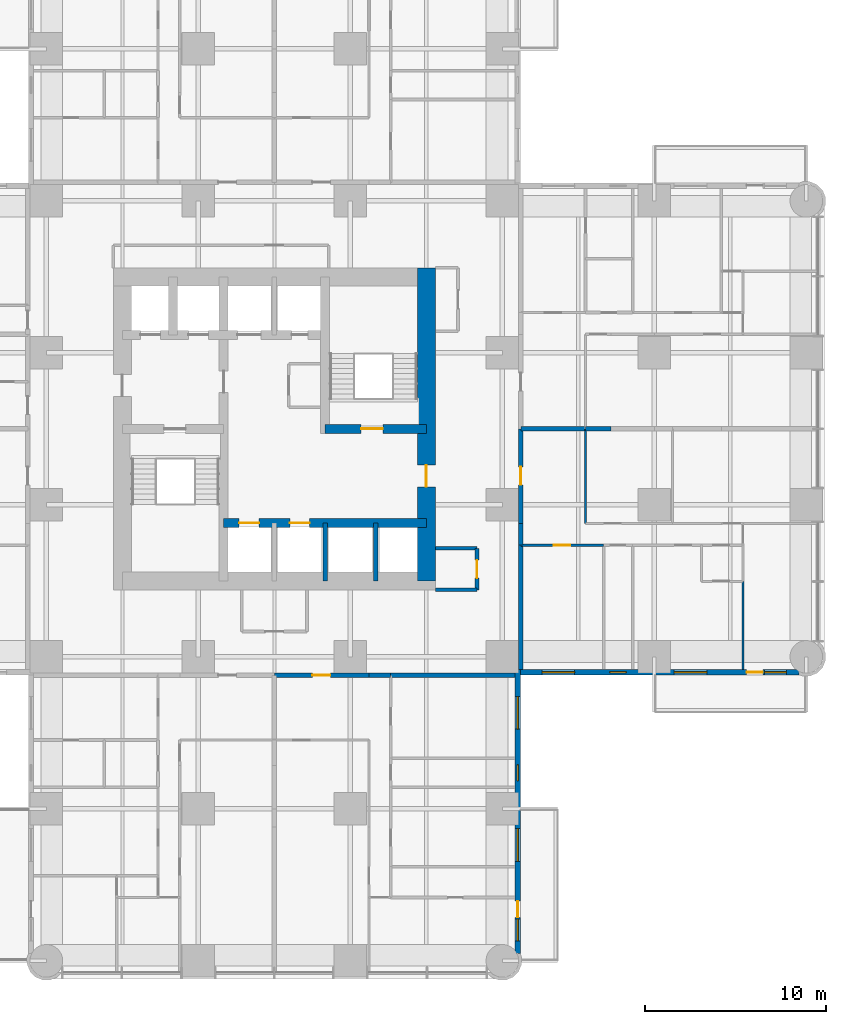
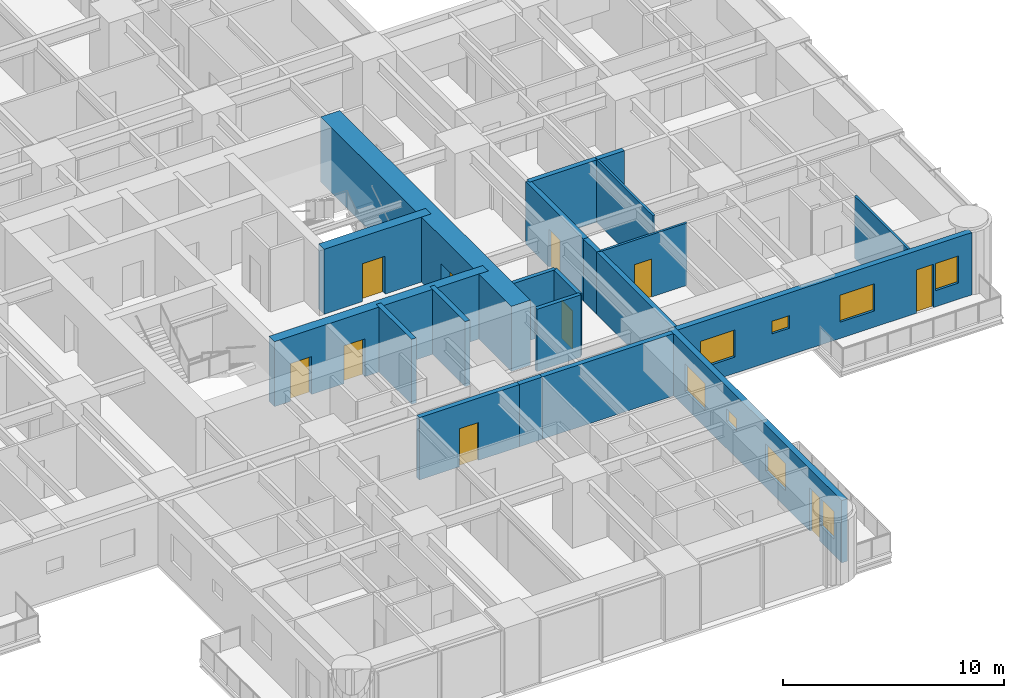
# One storey, part 10 of 17: 21 walls, 10 doors, 8 windows, 18 openings.
"""IFC4 building model written with IfcOpenShell, lengths in metres."""

from ifc_helpers import new_model, si_unit, direction, frame, frame_2d, origin, place, context, subcontext, project, spatial, rectangle, extrude, material, layer, layer_set, type_object, element, fill, save


model = new_model("IFC4")

# Units and contexts
model_context = context("Model", 3, precision=1e-05, world=origin(), true_north=direction((0.0, 1.0)))
body_context = subcontext(model_context, "Body", "Model", "MODEL_VIEW")
ifc_project = project(units=[si_unit("LENGTHUNIT", "METRE"), si_unit("AREAUNIT", "SQUARE_METRE"), si_unit("VOLUMEUNIT", "CUBIC_METRE"), si_unit("PLANEANGLEUNIT", "RADIAN"), si_unit("MASSUNIT", "GRAM", prefix="KILO")], contexts=[model_context])

# Site, building, storey
site_placement = place(None, origin())
site = spatial("IfcSite", under=ifc_project, at=site_placement, CompositionType="ELEMENT")
building_placement = place(site_placement, origin())
building = spatial("IfcBuilding", under=site, at=building_placement, Name="Torre Alcanfor", CompositionType="ELEMENT")
storey_placement = place(building_placement, frame((0.0, 0.0, 45.300048828125)))
storey = spatial("IfcBuildingStorey", under=building, at=storey_placement, Name="L10", CompositionType="ELEMENT", Elevation=45.300048828125)

# Wall, opening, door
ifc_material_1 = material(Name="Concrete block masonry, hollow blocks NMX-C-404 9 MPa", Category="masonry")
ifc_layer_1 = layer(ifc_material_1, 0.25)
ifc_layer_set_1 = layer_set([ifc_layer_1], Name="Apartment entrance wall 250 EI 60")
wall_type_1 = type_object("IfcWallType", Name="Apartment entrance wall 250 EI 60", PredefinedType="PARTITIONING", material=ifc_layer_set_1)
wall_1_placement = place(storey_placement, frame((43.02490234375, 29.39990234375, 0.0), z_axis=(0.0, 0.0, 1.0), x_axis=(0.0, -1.0, 0.0)))
wall_1 = element("IfcWall", 1, at=wall_1_placement, inside=storey, type_object=wall_type_1, Name="Partition L10-CORR / L10-E2-ZAG", PredefinedType="PARTITIONING", context=body_context, shape_type="SweptSolid", body=[
    extrude(rectangle(XDim=5.22900390625, YDim=0.25, at=frame_2d((2.614501953125, 0.0))), origin(), (0.0, 0.0, 1.0), 3.449951171875),
])
opening_1_placement = place(wall_1_placement, frame((2.10009765625, 0.0, 0.0)))
opening_1 = element("IfcOpeningElement", 2, at=opening_1_placement, cuts=wall_1, Name="Opening D-A1", PredefinedType="OPENING", context=body_context, shape_type="SweptSolid", body=[
    extrude(rectangle(XDim=1.0, YDim=2.10009765625, at=frame_2d((0.5, 1.050048828125))), frame((0.0, 0.135009765625, 0.0), z_axis=(0.0, -1.0, 0.0), x_axis=(1.0, 0.0, 0.0)), (0.0, 0.0, 1.0), 0.27001953125),
])
ifc_material_2 = material(Name="Galvanised steel sheet ASTM A653", Category="steel")
door_type_1 = type_object("IfcDoorType", Name="Apartment entrance door FD60 1000x2100", OperationType="SINGLE_SWING_LEFT", PredefinedType="DOOR", material=ifc_material_2)
door_1_placement = place(opening_1_placement, origin())
door_1 = element("IfcDoor", 3, at=door_1_placement, inside=storey, type_object=door_type_1, Name="Apartment entrance L10-E2", OperationType="SINGLE_SWING_LEFT", OverallHeight=2.10009765625, OverallWidth=1.0, PredefinedType="DOOR", context=body_context, shape_type="SweptSolid", body=[
    extrude(rectangle(XDim=1.0, YDim=2.10009765625, at=frame_2d((0.5, 1.050048828125))), frame((0.0, 0.02490234375, 0.0), z_axis=(0.0, -1.0, 0.0), x_axis=(1.0, 0.0, 0.0)), (0.0, 0.0, 1.0), 0.050048828125),
])
fill(opening_1, door_1)

# Walls
wall_2_placement = place(storey_placement, frame((43.02490234375, 24.1708984375, 0.0), z_axis=(0.0, 0.0, 1.0), x_axis=(0.0, -1.0, 0.0)))
element("IfcWall", 4, at=wall_2_placement, inside=storey, type_object=wall_type_1, Name="Partition L10-CORR / L10-E2-HALL", PredefinedType="PARTITIONING", context=body_context, shape_type="SweptSolid", body=[
    extrude(rectangle(XDim=1.199951171875, YDim=0.25, at=frame_2d((0.60009765625, 0.0))), origin(), (0.0, 0.0, 1.0), 3.449951171875),
])
wall_3_placement = place(storey_placement, frame((43.02490234375, 22.970947265625, 0.0), z_axis=(0.0, 0.0, 1.0), x_axis=(0.0, -1.0, 0.0)))
element("IfcWall", 5, at=wall_3_placement, inside=storey, type_object=wall_type_1, Name="Partition L10-CORR / L10-E2-BED2", PredefinedType="PARTITIONING", context=body_context, shape_type="SweptSolid", body=[
    extrude(rectangle(XDim=6.870849609375, YDim=0.25, at=frame_2d((3.435546875, 0.0))), origin(), (0.0, 0.0, 1.0), 3.449951171875),
])

# Wall, opening, door
wall_4_placement = place(storey_placement, frame((34.62890625, 15.77490234375, 0.0), z_axis=(0.0, 0.0, 1.0), x_axis=(-1.0, 0.0, 0.0)))
wall_4 = element("IfcWall", 6, at=wall_4_placement, inside=storey, type_object=wall_type_1, Name="Partition L10-CORR / L10-S1-ZAG", PredefinedType="PARTITIONING", context=body_context, shape_type="SweptSolid", body=[
    extrude(rectangle(XDim=5.22900390625, YDim=0.25, at=frame_2d((2.614501953125, 0.0))), origin(), (0.0, 0.0, 1.0), 3.449951171875),
])
opening_2_placement = place(wall_4_placement, frame((2.12890625, 0.0, 0.0)))
opening_2 = element("IfcOpeningElement", 7, at=opening_2_placement, cuts=wall_4, Name="Opening D-A1", PredefinedType="OPENING", context=body_context, shape_type="SweptSolid", body=[
    extrude(rectangle(XDim=1.0, YDim=2.10009765625, at=frame_2d((0.5, 1.050048828125))), frame((0.0, 0.135009765625, 0.0), z_axis=(0.0, -1.0, 0.0), x_axis=(1.0, 0.0, 0.0)), (0.0, 0.0, 1.0), 0.27001953125),
])
door_2_placement = place(opening_2_placement, origin())
door_2 = element("IfcDoor", 8, at=door_2_placement, inside=storey, type_object=door_type_1, Name="Apartment entrance L10-S1", OperationType="SINGLE_SWING_RIGHT", OverallHeight=2.10009765625, OverallWidth=1.0, PredefinedType="DOOR", context=body_context, shape_type="SweptSolid", body=[
    extrude(rectangle(XDim=1.0, YDim=2.10009765625, at=frame_2d((0.5, 1.050048828125))), frame((0.0, 0.02490234375, 0.0), z_axis=(0.0, -1.0, 0.0), x_axis=(1.0, 0.0, 0.0)), (0.0, 0.0, 1.0), 0.050048828125),
])
fill(opening_2, door_2)

# Walls
wall_5_placement = place(storey_placement, frame((35.8291015625, 15.77490234375, 0.0), z_axis=(0.0, 0.0, 1.0), x_axis=(-1.0, 0.0, 0.0)))
element("IfcWall", 9, at=wall_5_placement, inside=storey, type_object=wall_type_1, Name="Partition L10-CORR / L10-S1-HALL", PredefinedType="PARTITIONING", context=body_context, shape_type="SweptSolid", body=[
    extrude(rectangle(XDim=1.2001953125, YDim=0.25, at=frame_2d((0.60009765625, 0.0))), origin(), (0.0, 0.0, 1.0), 3.449951171875),
])
wall_6_placement = place(storey_placement, frame((42.699951171875, 15.77490234375, 0.0), z_axis=(0.0, 0.0, 1.0), x_axis=(-1.0, 0.0, 0.0)))
element("IfcWall", 10, at=wall_6_placement, inside=storey, type_object=wall_type_1, Name="Partition L10-CORR / L10-S1-BED3", PredefinedType="PARTITIONING", context=body_context, shape_type="SweptSolid", body=[
    extrude(rectangle(XDim=6.870849609375, YDim=0.25, at=frame_2d((3.435546875, 0.0))), origin(), (0.0, 0.0, 1.0), 3.449951171875),
])
ifc_material_3 = material(Name="Gypsum board on steel studs", Category="steel")
ifc_layer_2 = layer(ifc_material_3, 0.1201171875)
ifc_layer_set_2 = layer_set([ifc_layer_2], Name="Apartment partition 120")
wall_type_2 = type_object("IfcWallType", Name="Apartment partition 120", PredefinedType="PARTITIONING", material=ifc_layer_set_2)
wall_7_placement = place(storey_placement, frame((46.60009765625, 29.39990234375, 0.0), z_axis=(0.0, 0.0, 1.0), x_axis=(0.0, -1.0, 0.0)))
element("IfcWall", 11, at=wall_7_placement, inside=storey, type_object=wall_type_2, Name="Partition L10-E2-ZAG / L10-E2-FAMILY", PredefinedType="PARTITIONING", context=body_context, shape_type="SweptSolid", body=[
    extrude(rectangle(XDim=5.22900390625, YDim=0.1201171875, at=frame_2d((2.614501953125, 0.0))), origin(), (0.0, 0.0, 1.0), 3.449951171875),
])

# Wall, opening, door
wall_8_placement = place(storey_placement, frame((47.60009765625, 22.970947265625, 0.0), z_axis=(0.0, 0.0, 1.0), x_axis=(-1.0, 0.0, 0.0)))
wall_8 = element("IfcWall", 12, at=wall_8_placement, inside=storey, type_object=wall_type_2, Name="Partition L10-E2-HALL / L10-E2-BED2", PredefinedType="PARTITIONING", context=body_context, shape_type="SweptSolid", body=[
    extrude(rectangle(XDim=4.5751953125, YDim=0.1201171875, at=frame_2d((2.28759765625, 0.0))), origin(), (0.0, 0.0, 1.0), 3.449951171875),
])
opening_3_placement = place(wall_8_placement, frame((1.85009765625, 0.0, 0.0)))
opening_3 = element("IfcOpeningElement", 13, at=opening_3_placement, cuts=wall_8, Name="Opening D-R1", PredefinedType="OPENING", context=body_context, shape_type="SweptSolid", body=[
    extrude(rectangle(XDim=0.89990234375, YDim=2.10009765625, at=frame_2d((0.449951171875, 1.050048828125))), frame((0.0, 0.070068359375, 0.0), z_axis=(0.0, -1.0, 0.0), x_axis=(1.0, 0.0, 0.0)), (0.0, 0.0, 1.0), 0.14013671875),
])
ifc_material_4 = material(Name="Timber", Category="wood")
door_type_2 = type_object("IfcDoorType", Name="Internal door 900x2100", OperationType="SINGLE_SWING_LEFT", PredefinedType="DOOR", material=ifc_material_4)
door_3_placement = place(opening_3_placement, origin())
door_3 = element("IfcDoor", 14, at=door_3_placement, inside=storey, type_object=door_type_2, Name="Door L10-E2 bed2", OperationType="SINGLE_SWING_RIGHT", OverallHeight=2.10009765625, OverallWidth=0.89990234375, PredefinedType="DOOR", context=body_context, shape_type="SweptSolid", body=[
    extrude(rectangle(XDim=0.89990234375, YDim=2.10009765625, at=frame_2d((0.449951171875, 1.050048828125))), frame((0.0, 0.02490234375, 0.0), z_axis=(0.0, -1.0, 0.0), x_axis=(1.0, 0.0, 0.0)), (0.0, 0.0, 1.0), 0.050048828125),
])
fill(opening_3, door_3)

# Wall
wall_9_placement = place(storey_placement, frame((55.300048828125, 20.970947265625, 0.0), z_axis=(0.0, 0.0, 1.0), x_axis=(0.0, -1.0, 0.0)))
element("IfcWall", 15, at=wall_9_placement, inside=storey, type_object=wall_type_2, Name="Partition L10-E2-MASTER / L10-E2-WGARD", PredefinedType="PARTITIONING", context=body_context, shape_type="SweptSolid", body=[
    extrude(rectangle(XDim=4.870849609375, YDim=0.1201171875, at=frame_2d((2.435546875, 0.0))), origin(), (0.0, 0.0, 1.0), 3.449951171875),
])

# Wall, openings, doors
ifc_material_5 = material(Name="Concrete f'c 70 MPa", Category="concrete")
ifc_layer_3 = layer(ifc_material_5, 0.5)
ifc_layer_set_3 = layer_set([ifc_layer_3], Name="Core inner wall 500 f'c70")
wall_type_3 = type_object("IfcWallType", Name="Core inner wall 500 f'c70", PredefinedType="SHEAR", material=ifc_layer_set_3)
wall_10_placement = place(storey_placement, frame((26.60009765625, 24.199951171875, 0.0), z_axis=(0.0, 0.0, 1.0), x_axis=(1.0, 0.0, 0.0)))
wall_10 = element("IfcWall", 16, at=wall_10_placement, inside=storey, type_object=wall_type_3, Name="Core wall Y242 L10", PredefinedType="SHEAR", context=body_context, shape_type="SweptSolid", body=[
    extrude(rectangle(XDim=11.199951171875, YDim=0.5, at=frame_2d((5.60009765625, 0.0))), origin(), (0.0, 0.0, 1.0), 3.599853515625),
])
opening_4_placement = place(wall_10_placement, frame((0.85009765625, 0.0, 0.0)))
opening_4 = element("IfcOpeningElement", 17, at=opening_4_placement, cuts=wall_10, Name="Opening LD1", PredefinedType="OPENING", context=body_context, shape_type="SweptSolid", body=[
    extrude(rectangle(XDim=1.10009765625, YDim=2.10009765625, at=frame_2d((0.550048828125, 1.050048828125))), frame((0.0, 0.260009765625, 0.0), z_axis=(0.0, -1.0, 0.0), x_axis=(1.0, 0.0, 0.0)), (0.0, 0.0, 1.0), 0.52001953125),
])
opening_5_placement = place(wall_10_placement, frame((3.64990234375, 0.0, 0.0)))
opening_5 = element("IfcOpeningElement", 18, at=opening_5_placement, cuts=wall_10, Name="Opening LD1", PredefinedType="OPENING", context=body_context, shape_type="SweptSolid", body=[
    extrude(rectangle(XDim=1.10009765625, YDim=2.10009765625, at=frame_2d((0.550048828125, 1.050048828125))), frame((0.0, 0.260009765625, 0.0), z_axis=(0.0, -1.0, 0.0), x_axis=(1.0, 0.0, 0.0)), (0.0, 0.0, 1.0), 0.52001953125),
])
ifc_material_6 = material(Name="Galvanised steel sheet ASTM A653", Category="steel")
door_type_3 = type_object("IfcDoorType", Name="Lift landing door 1100x2100", OperationType="DOUBLE_DOOR_SLIDING", PredefinedType="DOOR", material=ifc_material_6)
door_4_placement = place(opening_4_placement, origin())
door_4 = element("IfcDoor", 19, at=door_4_placement, inside=storey, type_object=door_type_3, Name="Lift landing door PA1 L10", OperationType="DOUBLE_DOOR_SLIDING", OverallHeight=2.10009765625, OverallWidth=1.10009765625, PredefinedType="DOOR", context=body_context, shape_type="SweptSolid", body=[
    extrude(rectangle(XDim=1.10009765625, YDim=2.10009765625, at=frame_2d((0.550048828125, 1.050048828125))), frame((0.0, 0.02490234375, 0.0), z_axis=(0.0, -1.0, 0.0), x_axis=(1.0, 0.0, 0.0)), (0.0, 0.0, 1.0), 0.050048828125),
])
fill(opening_4, door_4)
door_5_placement = place(opening_5_placement, origin())
door_5 = element("IfcDoor", 20, at=door_5_placement, inside=storey, type_object=door_type_3, Name="Lift landing door PA2 L10", OperationType="DOUBLE_DOOR_SLIDING", OverallHeight=2.10009765625, OverallWidth=1.10009765625, PredefinedType="DOOR", context=body_context, shape_type="SweptSolid", body=[
    extrude(rectangle(XDim=1.10009765625, YDim=2.10009765625, at=frame_2d((0.550048828125, 1.050048828125))), frame((0.0, 0.02490234375, 0.0), z_axis=(0.0, -1.0, 0.0), x_axis=(1.0, 0.0, 0.0)), (0.0, 0.0, 1.0), 0.050048828125),
])
fill(opening_5, door_5)

# Wall, opening, door
wall_11_placement = place(storey_placement, frame((32.199951171875, 29.39990234375, 0.0), z_axis=(0.0, 0.0, 1.0), x_axis=(1.0, 0.0, 0.0)))
wall_11 = element("IfcWall", 21, at=wall_11_placement, inside=storey, type_object=wall_type_3, Name="Core wall Y294E L10", PredefinedType="SHEAR", context=body_context, shape_type="SweptSolid", body=[
    extrude(rectangle(XDim=5.60009765625, YDim=0.5, at=frame_2d((2.800048828125, 0.0))), origin(), (0.0, 0.0, 1.0), 3.599853515625),
])
opening_6_placement = place(wall_11_placement, frame((2.0, 0.0, 0.0)))
opening_6 = element("IfcOpeningElement", 22, at=opening_6_placement, cuts=wall_11, Name="Opening D-S2", PredefinedType="OPENING", context=body_context, shape_type="SweptSolid", body=[
    extrude(rectangle(XDim=1.199951171875, YDim=2.10009765625, at=frame_2d((0.60009765625, 1.050048828125))), frame((0.0, 0.260009765625, 0.0), z_axis=(0.0, -1.0, 0.0), x_axis=(1.0, 0.0, 0.0)), (0.0, 0.0, 1.0), 0.52001953125),
])
ifc_material_7 = material(Name="Galvanised steel sheet ASTM A653", Category="steel")
door_type_4 = type_object("IfcDoorType", Name="Stair enclosure door FD120 1200x2100", OperationType="SINGLE_SWING_LEFT", PredefinedType="DOOR", material=ifc_material_7)
door_6_placement = place(opening_6_placement, origin())
door_6 = element("IfcDoor", 23, at=door_6_placement, inside=storey, type_object=door_type_4, Name="Stair S2 door L10", OperationType="SINGLE_SWING_LEFT", OverallHeight=2.10009765625, OverallWidth=1.199951171875, PredefinedType="DOOR", context=body_context, shape_type="SweptSolid", body=[
    extrude(rectangle(XDim=1.199951171875, YDim=2.10009765625, at=frame_2d((0.60009765625, 1.050048828125))), frame((0.0, 0.02490234375, 0.0), z_axis=(0.0, -1.0, 0.0), x_axis=(1.0, 0.0, 0.0)), (0.0, 0.0, 1.0), 0.050048828125),
])
fill(opening_6, door_6)

# Walls
ifc_material_8 = material(Name="Concrete f'c 70 MPa", Category="concrete")
ifc_layer_4 = layer(ifc_material_8, 0.25)
ifc_layer_set_4 = layer_set([ifc_layer_4], Name="Core shaft wall 250 f'c70")
wall_type_4 = type_object("IfcWallType", Name="Core shaft wall 250 f'c70", PredefinedType="SHEAR", material=ifc_layer_set_4)
for number, where, z_axis, x_axis, name in (
    (24, (32.199951171875, 21.0, 0.0), (0.0, 0.0, 1.0), (0.0, 1.0, 0.0), "Core wall X322S L10"),
    (25, (35.0, 21.0, 0.0), (0.0, 0.0, 1.0), (0.0, 1.0, 0.0), "Core wall X350S L10"),
):
    element("IfcWall", number, at=place(storey_placement, frame(where, z_axis=z_axis, x_axis=x_axis)), inside=storey, type_object=wall_type_4, Name=name, PredefinedType="SHEAR", context=body_context, shape_type="SweptSolid", body=[
        extrude(rectangle(XDim=3.199951171875, YDim=0.25, at=frame_2d((1.60009765625, 0.0))), origin(), (0.0, 0.0, 1.0), 3.599853515625),
    ])

# Wall, opening, door
ifc_material_9 = material(Name="Concrete f'c 70 MPa", Category="concrete")
ifc_layer_5 = layer(ifc_material_9, 1.0)
ifc_layer_set_5 = layer_set([ifc_layer_5], Name="Core wall 1000 f'c70")
wall_type_5 = type_object("IfcWallType", Name="Core wall 1000 f'c70", PredefinedType="SHEAR", material=ifc_layer_set_5)
wall_12_placement = place(storey_placement, frame((37.800048828125, 21.0, 0.0), z_axis=(0.0, 0.0, 1.0), x_axis=(0.0, 1.0, 0.0)))
wall_12 = element("IfcWall", 26, at=wall_12_placement, inside=storey, type_object=wall_type_5, Name="Core wall OUT-E L10", PredefinedType="SHEAR", context=body_context, shape_type="SweptSolid", body=[
    extrude(rectangle(XDim=17.300048828125, YDim=1.0, at=frame_2d((8.64990234375, 0.0))), origin(), (0.0, 0.0, 1.0), 3.599853515625),
])
opening_7_placement = place(wall_12_placement, frame((5.199951171875, 0.0, 0.0)))
opening_7 = element("IfcOpeningElement", 27, at=opening_7_placement, cuts=wall_12, Name="Opening D-L1", PredefinedType="OPENING", context=body_context, shape_type="SweptSolid", body=[
    extrude(rectangle(XDim=1.199951171875, YDim=2.10009765625, at=frame_2d((0.60009765625, 1.050048828125))), frame((0.0, 0.510009765625, 0.0), z_axis=(0.0, -1.0, 0.0), x_axis=(1.0, 0.0, 0.0)), (0.0, 0.0, 1.0), 1.02001953125),
])
ifc_material_10 = material(Name="Galvanised steel sheet ASTM A653", Category="steel")
door_type_5 = type_object("IfcDoorType", Name="Lobby door FD120 1200x2100", OperationType="SINGLE_SWING_LEFT", PredefinedType="DOOR", material=ifc_material_10)
door_7_placement = place(opening_7_placement, origin())
door_7 = element("IfcDoor", 28, at=door_7_placement, inside=storey, type_object=door_type_5, Name="Lift lobby entrance door L10", OperationType="SINGLE_SWING_LEFT", OverallHeight=2.10009765625, OverallWidth=1.199951171875, PredefinedType="DOOR", context=body_context, shape_type="SweptSolid", body=[
    extrude(rectangle(XDim=1.199951171875, YDim=2.10009765625, at=frame_2d((0.60009765625, 1.050048828125))), frame((0.0, 0.02490234375, 0.0), z_axis=(0.0, -1.0, 0.0), x_axis=(1.0, 0.0, 0.0)), (0.0, 0.0, 1.0), 0.050048828125),
])
fill(opening_7, door_7)

# Wall, openings, door, windows
ifc_material_11 = material(Name="Limestone cladding", Category="masonry")
ifc_layer_6 = layer(ifc_material_11, 0.0400390625, Name="Facing")
ifc_material_12 = material(Name="Ventilated air cavity")
ifc_layer_7 = layer(ifc_material_12, 0.02001953125, ventilated=True, Name="Ventilated joint")
ifc_material_13 = material(Name="Mineral wool insulation", Category="insulation")
ifc_layer_8 = layer(ifc_material_13, 0.10009765625, Name="Insulation")
ifc_material_14 = material(Name="Concrete f'c 35 MPa", Category="concrete")
ifc_layer_9 = layer(ifc_material_14, 0.139892578125, Name="Backing")
ifc_layer_set_6 = layer_set([ifc_layer_6, ifc_layer_7, ifc_layer_8, ifc_layer_9], Name="External wall stone-clad 300")
wall_type_6 = type_object("IfcWallType", Name="External wall stone-clad 300", PredefinedType="SOLIDWALL", material=ifc_layer_set_6)
wall_13_placement = place(storey_placement, frame((42.85009765625, 0.39990234375, 0.0), z_axis=(0.0, 0.0, 1.0), x_axis=(0.0, 1.0, 0.0)))
wall_13 = element("IfcWall", 29, at=wall_13_placement, inside=storey, type_object=wall_type_6, Name="External wall L10 6", PredefinedType="SOLIDWALL", context=body_context, shape_type="SweptSolid", body=[
    extrude(rectangle(XDim=15.7001953125, YDim=0.300048828125, at=frame_2d((7.85009765625, 0.0))), origin(), (0.0, 0.0, 1.0), 3.449951171875),
])
opening_8_placement = place(wall_13_placement, frame((12.39990234375, 0.0, 0.89990234375)))
opening_8 = element("IfcOpeningElement", 30, at=opening_8_placement, cuts=wall_13, Name="Opening W2", PredefinedType="OPENING", context=body_context, shape_type="SweptSolid", body=[
    extrude(rectangle(XDim=1.800048828125, YDim=1.5, at=frame_2d((0.89990234375, 0.75))), frame((0.0, 0.159912109375, 0.0), z_axis=(0.0, -1.0, 0.0), x_axis=(1.0, 0.0, 0.0)), (0.0, 0.0, 1.0), 0.320068359375),
])
opening_9_placement = place(wall_13_placement, frame((9.550048828125, 0.0, 1.5)))
opening_9 = element("IfcOpeningElement", 31, at=opening_9_placement, cuts=wall_13, Name="Opening W3", PredefinedType="OPENING", context=body_context, shape_type="SweptSolid", body=[
    extrude(rectangle(XDim=0.89990234375, YDim=0.699951171875, at=frame_2d((0.449951171875, 0.35009765625))), frame((0.0, 0.159912109375, 0.0), z_axis=(0.0, -1.0, 0.0), x_axis=(1.0, 0.0, 0.0)), (0.0, 0.0, 1.0), 0.320068359375),
])
opening_10_placement = place(wall_13_placement, frame((5.10009765625, 0.0, 0.89990234375)))
opening_10 = element("IfcOpeningElement", 32, at=opening_10_placement, cuts=wall_13, Name="Opening W2", PredefinedType="OPENING", context=body_context, shape_type="SweptSolid", body=[
    extrude(rectangle(XDim=1.800048828125, YDim=1.5, at=frame_2d((0.89990234375, 0.75))), frame((0.0, 0.159912109375, 0.0), z_axis=(0.0, -1.0, 0.0), x_axis=(1.0, 0.0, 0.0)), (0.0, 0.0, 1.0), 0.320068359375),
])
opening_11_placement = place(wall_13_placement, frame((2.0, 0.0, 0.0)))
opening_11 = element("IfcOpeningElement", 33, at=opening_11_placement, cuts=wall_13, Name="Opening D-B1", PredefinedType="OPENING", context=body_context, shape_type="SweptSolid", body=[
    extrude(rectangle(XDim=0.89990234375, YDim=2.39990234375, at=frame_2d((0.449951171875, 1.199951171875))), frame((0.0, 0.159912109375, 0.0), z_axis=(0.0, -1.0, 0.0), x_axis=(1.0, 0.0, 0.0)), (0.0, 0.0, 1.0), 0.320068359375),
])
opening_12_placement = place(wall_13_placement, frame((0.699951171875, 0.0, 0.89990234375)))
opening_12 = element("IfcOpeningElement", 34, at=opening_12_placement, cuts=wall_13, Name="Opening W4", PredefinedType="OPENING", context=body_context, shape_type="SweptSolid", body=[
    extrude(rectangle(XDim=1.199951171875, YDim=1.5, at=frame_2d((0.60009765625, 0.75))), frame((0.0, 0.159912109375, 0.0), z_axis=(0.0, -1.0, 0.0), x_axis=(1.0, 0.0, 0.0)), (0.0, 0.0, 1.0), 0.320068359375),
])
ifc_material_15 = material(Name="Aluminium and glass", Category="aluminium")
door_type_6 = type_object("IfcDoorType", Name="Balcony door glazed 900x2400", OperationType="SINGLE_SWING_LEFT", PredefinedType="DOOR", material=ifc_material_15)
door_8_placement = place(opening_11_placement, origin())
door_8 = element("IfcDoor", 35, at=door_8_placement, inside=storey, type_object=door_type_6, Name="Balcony door L10-S1", OperationType="SINGLE_SWING_RIGHT", OverallHeight=2.39990234375, OverallWidth=0.89990234375, PredefinedType="DOOR", context=body_context, shape_type="SweptSolid", body=[
    extrude(rectangle(XDim=0.89990234375, YDim=2.39990234375, at=frame_2d((0.449951171875, 1.199951171875))), frame((0.0, 0.02490234375, 0.0), z_axis=(0.0, -1.0, 0.0), x_axis=(1.0, 0.0, 0.0)), (0.0, 0.0, 1.0), 0.050048828125),
])
fill(opening_11, door_8)
ifc_material_16 = material(Name="Aluminium frame with clear double glazing", Category="aluminium")
window_type_1 = type_object("IfcWindowType", Name="Window bathroom 900x700", PartitioningType="SINGLE_PANEL", PredefinedType="WINDOW", material=ifc_material_16)
window_1_placement = place(opening_9_placement, origin())
window_1 = element("IfcWindow", 36, at=window_1_placement, inside=storey, type_object=window_type_1, Name="Window W3 L10-S1", OverallHeight=0.699951171875, OverallWidth=0.89990234375, PartitioningType="SINGLE_PANEL", PredefinedType="WINDOW", context=body_context, shape_type="SweptSolid", body=[
    extrude(rectangle(XDim=0.89990234375, YDim=0.699951171875, at=frame_2d((0.449951171875, 0.35009765625))), frame((0.0, 0.030029296875, 0.0), z_axis=(0.0, -1.0, 0.0), x_axis=(1.0, 0.0, 0.0)), (0.0, 0.0, 1.0), 0.06005859375),
])
fill(opening_9, window_1)
ifc_material_17 = material(Name="Aluminium frame with clear double glazing", Category="aluminium")
window_type_2 = type_object("IfcWindowType", Name="Window bedroom 1200x1500", PartitioningType="SINGLE_PANEL", PredefinedType="WINDOW", material=ifc_material_17)
window_2_placement = place(opening_12_placement, origin())
window_2 = element("IfcWindow", 37, at=window_2_placement, inside=storey, type_object=window_type_2, Name="Window W4 L10-S1", OverallHeight=1.5, OverallWidth=1.199951171875, PartitioningType="SINGLE_PANEL", PredefinedType="WINDOW", context=body_context, shape_type="SweptSolid", body=[
    extrude(rectangle(XDim=1.199951171875, YDim=1.5, at=frame_2d((0.60009765625, 0.75))), frame((0.0, 0.030029296875, 0.0), z_axis=(0.0, -1.0, 0.0), x_axis=(1.0, 0.0, 0.0)), (0.0, 0.0, 1.0), 0.06005859375),
])
fill(opening_12, window_2)
ifc_material_18 = material(Name="Aluminium frame with clear double glazing", Category="aluminium")
window_type_3 = type_object("IfcWindowType", Name="Window bedroom 1800x1500", PartitioningType="SINGLE_PANEL", PredefinedType="WINDOW", material=ifc_material_18)
window_3_placement = place(opening_8_placement, origin())
window_3 = element("IfcWindow", 38, at=window_3_placement, inside=storey, type_object=window_type_3, Name="Window W2 L10-S1", OverallHeight=1.5, OverallWidth=1.800048828125, PartitioningType="SINGLE_PANEL", PredefinedType="WINDOW", context=body_context, shape_type="SweptSolid", body=[
    extrude(rectangle(XDim=1.800048828125, YDim=1.5, at=frame_2d((0.89990234375, 0.75))), frame((0.0, 0.030029296875, 0.0), z_axis=(0.0, -1.0, 0.0), x_axis=(1.0, 0.0, 0.0)), (0.0, 0.0, 1.0), 0.06005859375),
])
fill(opening_8, window_3)
window_4_placement = place(opening_10_placement, origin())
window_4 = element("IfcWindow", 39, at=window_4_placement, inside=storey, type_object=window_type_3, Name="Window W2 L10-S1", OverallHeight=1.5, OverallWidth=1.800048828125, PartitioningType="SINGLE_PANEL", PredefinedType="WINDOW", context=body_context, shape_type="SweptSolid", body=[
    extrude(rectangle(XDim=1.800048828125, YDim=1.5, at=frame_2d((0.89990234375, 0.75))), frame((0.0, 0.030029296875, 0.0), z_axis=(0.0, -1.0, 0.0), x_axis=(1.0, 0.0, 0.0)), (0.0, 0.0, 1.0), 0.06005859375),
])
fill(opening_10, window_4)

wall_14_placement = place(storey_placement, frame((43.0, 15.949951171875, 0.0), z_axis=(0.0, 0.0, 1.0), x_axis=(1.0, 0.0, 0.0)))
wall_14 = element("IfcWall", 40, at=wall_14_placement, inside=storey, type_object=wall_type_6, Name="External wall L10 7", PredefinedType="SOLIDWALL", context=body_context, shape_type="SweptSolid", body=[
    extrude(rectangle(XDim=15.39990234375, YDim=0.300048828125, at=frame_2d((7.699951171875, 0.0))), origin(), (0.0, 0.0, 1.0), 3.449951171875),
])
opening_13_placement = place(wall_14_placement, frame((1.199951171875, 0.0, 0.89990234375)))
opening_13 = element("IfcOpeningElement", 41, at=opening_13_placement, cuts=wall_14, Name="Opening W2", PredefinedType="OPENING", context=body_context, shape_type="SweptSolid", body=[
    extrude(rectangle(XDim=1.800048828125, YDim=1.5, at=frame_2d((0.89990234375, 0.75))), frame((0.0, 0.159912109375, 0.0), z_axis=(0.0, -1.0, 0.0), x_axis=(1.0, 0.0, 0.0)), (0.0, 0.0, 1.0), 0.320068359375),
])
opening_14_placement = place(wall_14_placement, frame((4.949951171875, 0.0, 1.5)))
opening_14 = element("IfcOpeningElement", 42, at=opening_14_placement, cuts=wall_14, Name="Opening W3", PredefinedType="OPENING", context=body_context, shape_type="SweptSolid", body=[
    extrude(rectangle(XDim=0.89990234375, YDim=0.699951171875, at=frame_2d((0.449951171875, 0.35009765625))), frame((0.0, 0.159912109375, 0.0), z_axis=(0.0, -1.0, 0.0), x_axis=(1.0, 0.0, 0.0)), (0.0, 0.0, 1.0), 0.320068359375),
])
opening_15_placement = place(wall_14_placement, frame((8.5, 0.0, 0.89990234375)))
opening_15 = element("IfcOpeningElement", 43, at=opening_15_placement, cuts=wall_14, Name="Opening W2", PredefinedType="OPENING", context=body_context, shape_type="SweptSolid", body=[
    extrude(rectangle(XDim=1.800048828125, YDim=1.5, at=frame_2d((0.89990234375, 0.75))), frame((0.0, 0.159912109375, 0.0), z_axis=(0.0, -1.0, 0.0), x_axis=(1.0, 0.0, 0.0)), (0.0, 0.0, 1.0), 0.320068359375),
])
opening_16_placement = place(wall_14_placement, frame((12.5, 0.0, 0.0)))
opening_16 = element("IfcOpeningElement", 44, at=opening_16_placement, cuts=wall_14, Name="Opening D-B1", PredefinedType="OPENING", context=body_context, shape_type="SweptSolid", body=[
    extrude(rectangle(XDim=0.89990234375, YDim=2.39990234375, at=frame_2d((0.449951171875, 1.199951171875))), frame((0.0, 0.159912109375, 0.0), z_axis=(0.0, -1.0, 0.0), x_axis=(1.0, 0.0, 0.0)), (0.0, 0.0, 1.0), 0.320068359375),
])
opening_17_placement = place(wall_14_placement, frame((13.5, 0.0, 0.89990234375)))
opening_17 = element("IfcOpeningElement", 45, at=opening_17_placement, cuts=wall_14, Name="Opening W4", PredefinedType="OPENING", context=body_context, shape_type="SweptSolid", body=[
    extrude(rectangle(XDim=1.199951171875, YDim=1.5, at=frame_2d((0.60009765625, 0.75))), frame((0.0, 0.159912109375, 0.0), z_axis=(0.0, -1.0, 0.0), x_axis=(1.0, 0.0, 0.0)), (0.0, 0.0, 1.0), 0.320068359375),
])
door_9_placement = place(opening_16_placement, origin())
door_9 = element("IfcDoor", 46, at=door_9_placement, inside=storey, type_object=door_type_6, Name="Balcony door L10-E2", OperationType="SINGLE_SWING_LEFT", OverallHeight=2.39990234375, OverallWidth=0.89990234375, PredefinedType="DOOR", context=body_context, shape_type="SweptSolid", body=[
    extrude(rectangle(XDim=0.89990234375, YDim=2.39990234375, at=frame_2d((0.449951171875, 1.199951171875))), frame((0.0, 0.02490234375, 0.0), z_axis=(0.0, -1.0, 0.0), x_axis=(1.0, 0.0, 0.0)), (0.0, 0.0, 1.0), 0.050048828125),
])
fill(opening_16, door_9)
window_5_placement = place(opening_14_placement, origin())
window_5 = element("IfcWindow", 47, at=window_5_placement, inside=storey, type_object=window_type_1, Name="Window W3 L10-E2", OverallHeight=0.699951171875, OverallWidth=0.89990234375, PartitioningType="SINGLE_PANEL", PredefinedType="WINDOW", context=body_context, shape_type="SweptSolid", body=[
    extrude(rectangle(XDim=0.89990234375, YDim=0.699951171875, at=frame_2d((0.449951171875, 0.35009765625))), frame((0.0, 0.030029296875, 0.0), z_axis=(0.0, -1.0, 0.0), x_axis=(1.0, 0.0, 0.0)), (0.0, 0.0, 1.0), 0.06005859375),
])
fill(opening_14, window_5)
window_6_placement = place(opening_17_placement, origin())
window_6 = element("IfcWindow", 48, at=window_6_placement, inside=storey, type_object=window_type_2, Name="Window W4 L10-E2", OverallHeight=1.5, OverallWidth=1.199951171875, PartitioningType="SINGLE_PANEL", PredefinedType="WINDOW", context=body_context, shape_type="SweptSolid", body=[
    extrude(rectangle(XDim=1.199951171875, YDim=1.5, at=frame_2d((0.60009765625, 0.75))), frame((0.0, 0.030029296875, 0.0), z_axis=(0.0, -1.0, 0.0), x_axis=(1.0, 0.0, 0.0)), (0.0, 0.0, 1.0), 0.06005859375),
])
fill(opening_17, window_6)
window_7_placement = place(opening_13_placement, origin())
window_7 = element("IfcWindow", 49, at=window_7_placement, inside=storey, type_object=window_type_3, Name="Window W2 L10-E2", OverallHeight=1.5, OverallWidth=1.800048828125, PartitioningType="SINGLE_PANEL", PredefinedType="WINDOW", context=body_context, shape_type="SweptSolid", body=[
    extrude(rectangle(XDim=1.800048828125, YDim=1.5, at=frame_2d((0.89990234375, 0.75))), frame((0.0, 0.030029296875, 0.0), z_axis=(0.0, -1.0, 0.0), x_axis=(1.0, 0.0, 0.0)), (0.0, 0.0, 1.0), 0.06005859375),
])
fill(opening_13, window_7)
window_8_placement = place(opening_15_placement, origin())
window_8 = element("IfcWindow", 50, at=window_8_placement, inside=storey, type_object=window_type_3, Name="Window W2 L10-E2", OverallHeight=1.5, OverallWidth=1.800048828125, PartitioningType="SINGLE_PANEL", PredefinedType="WINDOW", context=body_context, shape_type="SweptSolid", body=[
    extrude(rectangle(XDim=1.800048828125, YDim=1.5, at=frame_2d((0.89990234375, 0.75))), frame((0.0, 0.030029296875, 0.0), z_axis=(0.0, -1.0, 0.0), x_axis=(1.0, 0.0, 0.0)), (0.0, 0.0, 1.0), 0.06005859375),
])
fill(opening_15, window_8)

# Walls
ifc_material_19 = material(Name="Concrete block masonry, hollow blocks NMX-C-404 9 MPa", Category="masonry")
ifc_layer_10 = layer(ifc_material_19, 0.25)
ifc_layer_set_7 = layer_set([ifc_layer_10], Name="Party wall 250 EI 60")
wall_type_7 = type_object("IfcWallType", Name="Party wall 250 EI 60", PredefinedType="PARTITIONING", material=ifc_layer_set_7)
wall_15_placement = place(storey_placement, frame((43.02490234375, 29.39990234375, 0.0), z_axis=(0.0, 0.0, 1.0), x_axis=(1.0, 0.0, 0.0)))
element("IfcWall", 51, at=wall_15_placement, inside=storey, type_object=wall_type_7, Name="Partition L10-E1-ZAG / L10-E2-ZAG", PredefinedType="PARTITIONING", context=body_context, shape_type="SweptSolid", body=[
    extrude(rectangle(XDim=3.5751953125, YDim=0.25, at=frame_2d((1.78759765625, 0.0))), origin(), (0.0, 0.0, 1.0), 3.449951171875),
])
wall_16_placement = place(storey_placement, frame((46.60009765625, 29.39990234375, 0.0), z_axis=(0.0, 0.0, 1.0), x_axis=(1.0, 0.0, 0.0)))
element("IfcWall", 52, at=wall_16_placement, inside=storey, type_object=wall_type_7, Name="Partition L10-E1-LAUND / L10-E2-FAMILY", PredefinedType="PARTITIONING", context=body_context, shape_type="SweptSolid", body=[
    extrude(rectangle(XDim=1.39990234375, YDim=0.25, at=frame_2d((0.699951171875, 0.0))), origin(), (0.0, 0.0, 1.0), 3.449951171875),
])
ifc_material_20 = material(Name="Concrete block masonry, hollow blocks NMX-C-404 9 MPa", Category="masonry")
ifc_layer_11 = layer(ifc_material_20, 0.199951171875)
ifc_layer_set_8 = layer_set([ifc_layer_11], Name="Plant room wall 200 EI 60")
wall_type_8 = type_object("IfcWallType", Name="Plant room wall 200 EI 60", PredefinedType="PARTITIONING", material=ifc_layer_set_8)
wall_17_placement = place(storey_placement, frame((38.300048828125, 20.5, 0.0), z_axis=(0.0, 0.0, 1.0), x_axis=(1.0, 0.0, 0.0)))
element("IfcWall", 53, at=wall_17_placement, inside=storey, type_object=wall_type_8, Name="Partition L10-CORR / L10-G02", PredefinedType="PARTITIONING", context=body_context, shape_type="SweptSolid", body=[
    extrude(rectangle(XDim=2.300048828125, YDim=0.199951171875, at=frame_2d((1.14990234375, 0.0))), origin(), (0.0, 0.0, 1.0), 3.449951171875),
])

# Wall, opening, door
wall_18_placement = place(storey_placement, frame((40.60009765625, 20.5, 0.0), z_axis=(0.0, 0.0, 1.0), x_axis=(0.0, 1.0, 0.0)))
wall_18 = element("IfcWall", 54, at=wall_18_placement, inside=storey, type_object=wall_type_8, Name="Partition L10-CORR / L10-G02", PredefinedType="PARTITIONING", context=body_context, shape_type="SweptSolid", body=[
    extrude(rectangle(XDim=2.300048828125, YDim=0.199951171875, at=frame_2d((1.14990234375, 0.0))), origin(), (0.0, 0.0, 1.0), 3.449951171875),
])
opening_18_placement = place(wall_18_placement, frame((0.64990234375, 0.0, 0.0)))
opening_18 = element("IfcOpeningElement", 55, at=opening_18_placement, cuts=wall_18, Name="Opening D-K1", PredefinedType="OPENING", context=body_context, shape_type="SweptSolid", body=[
    extrude(rectangle(XDim=1.0, YDim=2.10009765625, at=frame_2d((0.5, 1.050048828125))), frame((0.0, 0.10986328125, 0.0), z_axis=(0.0, -1.0, 0.0), x_axis=(1.0, 0.0, 0.0)), (0.0, 0.0, 1.0), 0.219970703125),
])
ifc_material_21 = material(Name="Galvanised steel sheet ASTM A653", Category="steel")
door_type_7 = type_object("IfcDoorType", Name="Core room door FD60 1000x2100", OperationType="SINGLE_SWING_LEFT", PredefinedType="DOOR", material=ifc_material_21)
door_10_placement = place(opening_18_placement, origin())
door_10 = element("IfcDoor", 56, at=door_10_placement, inside=storey, type_object=door_type_7, Name="Door L10-G02 refuse and recycling store", OperationType="SINGLE_SWING_LEFT", OverallHeight=2.10009765625, OverallWidth=1.0, PredefinedType="DOOR", context=body_context, shape_type="SweptSolid", body=[
    extrude(rectangle(XDim=1.0, YDim=2.10009765625, at=frame_2d((0.5, 1.050048828125))), frame((0.0, 0.02490234375, 0.0), z_axis=(0.0, -1.0, 0.0), x_axis=(1.0, 0.0, 0.0)), (0.0, 0.0, 1.0), 0.050048828125),
])
fill(opening_18, door_10)

# Wall
wall_19_placement = place(storey_placement, frame((40.60009765625, 22.800048828125, 0.0), z_axis=(0.0, 0.0, 1.0), x_axis=(-1.0, 0.0, 0.0)))
element("IfcWall", 57, at=wall_19_placement, inside=storey, type_object=wall_type_8, Name="Partition L10-CORR / L10-G02", PredefinedType="PARTITIONING", context=body_context, shape_type="SweptSolid", body=[
    extrude(rectangle(XDim=2.300048828125, YDim=0.199951171875, at=frame_2d((1.14990234375, 0.0))), origin(), (0.0, 0.0, 1.0), 3.449951171875),
])

save(model, "model.ifc")
